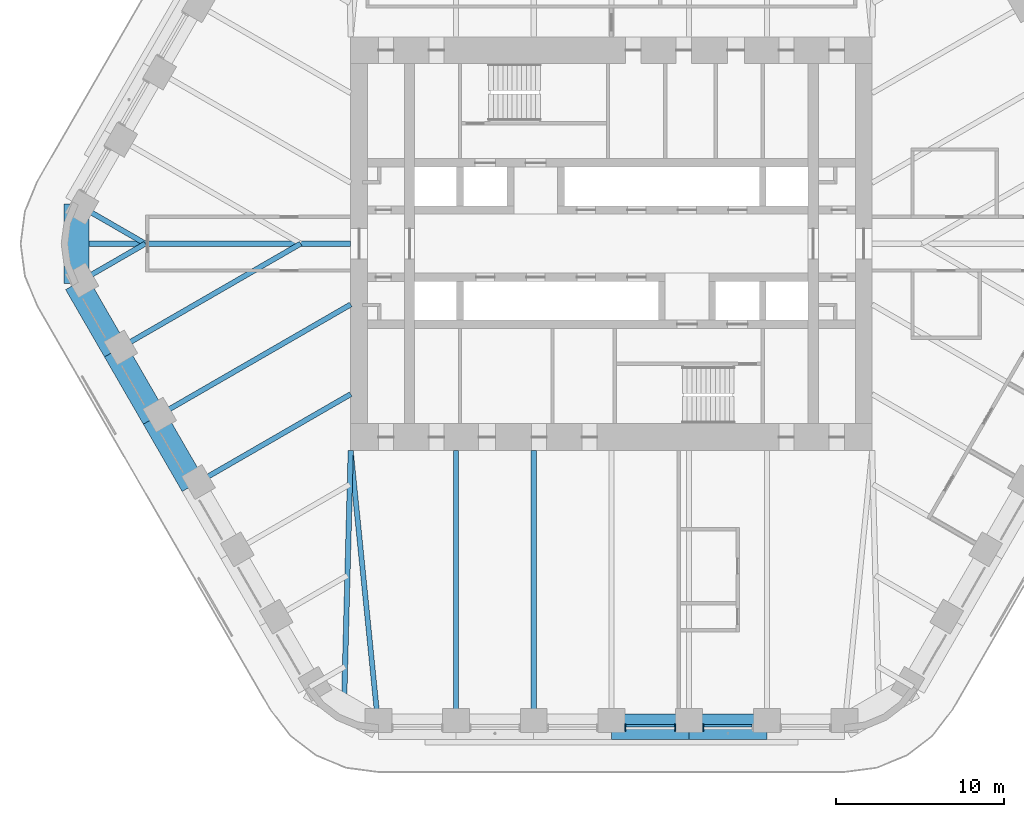
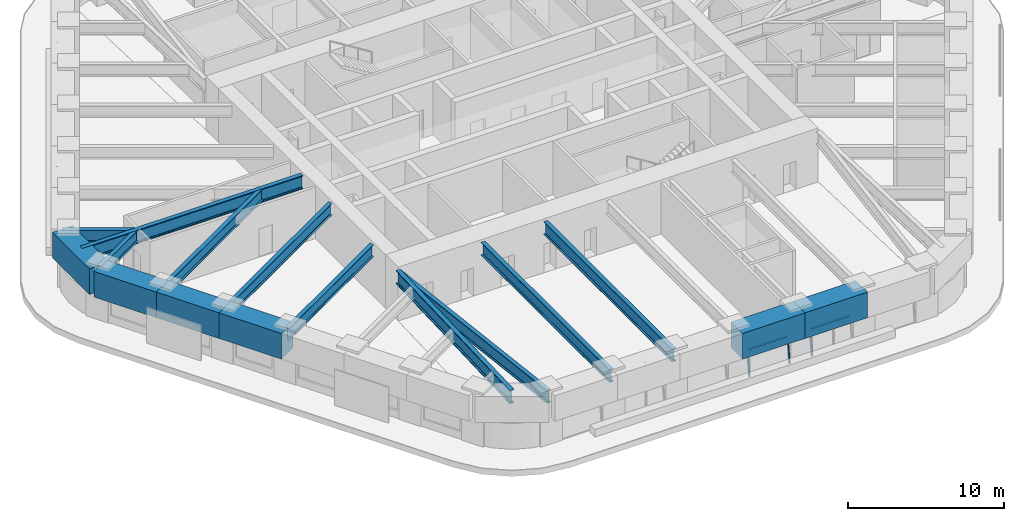
# One storey, part 3 of 20: 16 beams, 5 members, 2 elements without a shape of their own.
"""IFC4 building model written with IfcOpenShell, lengths in metres."""

import ifcopenshell
import ifcopenshell.guid

model = None  # the IFC model being written
_history = None  # IfcOwnerHistory: only IFC2X3 demands one
_inside = {}  # id of a spatial element -> (the spatial element, [elements in it])
_under = {}  # id of a project, library or spatial element -> (it, [spatial elements below it])
_declared = {}  # id of a project -> (the project, [libraries it declares])
_typed = {}  # id of a type object -> (the type object, [elements of that type])
_made_of = {}  # id of a material, layer set ... -> (it, [elements and type objects made of it])


def new_model(schema):
    """Start an empty IFC model of exactly this schema.

    Asked for "IFC4X3", IfcOpenShell would pick the latest addendum, in which some entities
    have other attributes; the version numbers below select the first issue.
    IFC2X3 requires an IfcOwnerHistory on every rooted entity: one is made here for all.
    """
    global model, _history
    if schema == "IFC4X3":
        model = ifcopenshell.file(schema_version=(4, 3, 0, 0))
    else:
        model = ifcopenshell.file(schema=schema)
    _inside.clear()
    _under.clear()
    _declared.clear()
    _typed.clear()
    _made_of.clear()
    _history = None
    if model.schema == "IFC2X3":
        org = make("IfcOrganization", Name="unknown")
        user = make(
            "IfcPersonAndOrganization",
            ThePerson=make("IfcPerson", FamilyName="unknown"),
            TheOrganization=org,
        )
        app = make(
            "IfcApplication",
            ApplicationDeveloper=org,
            Version="unknown",
            ApplicationFullName="unknown",
            ApplicationIdentifier="unknown",
        )
        _history = make(
            "IfcOwnerHistory",
            OwningUser=user,
            OwningApplication=app,
            ChangeAction="ADDED",
            CreationDate=0,
        )
    return model


def make(cls, **values):
    """One entity of the class cls with the attributes given. An attribute that is None is left unset."""
    return model.create_entity(
        cls, **{name: value for name, value in values.items() if value is not None}
    )


def rooted(cls, **values):
    """An entity with a GlobalId (a new one), such as an element, a storey or a relation."""
    return make(cls, GlobalId=ifcopenshell.guid.new(), OwnerHistory=_history, **values)


def si_unit(unit_type, name, prefix=None):
    """IfcSIUnit, for example si_unit("LENGTHUNIT", "METRE", prefix="MILLI")."""
    return make("IfcSIUnit", UnitType=unit_type, Prefix=prefix, Name=name)


def assignment(units):
    """IfcUnitAssignment: the units of a project."""
    return None if units is None else make("IfcUnitAssignment", Units=units)


def point(xyz):
    """IfcCartesianPoint."""
    return None if xyz is None else make("IfcCartesianPoint", Coordinates=xyz)


def direction(xyz):
    """IfcDirection."""
    return None if xyz is None else make("IfcDirection", DirectionRatios=xyz)


def frame(location, z_axis=None, x_axis=None):
    """IfcAxis2Placement3D, a coordinate frame: its origin and axes. An axis left out is left unset."""
    return make(
        "IfcAxis2Placement3D",
        Location=point(location),
        Axis=direction(z_axis),
        RefDirection=direction(x_axis),
    )


def frame_2d(location, x_axis=None):
    """IfcAxis2Placement2D, a coordinate frame in the plane: its origin and x axis."""
    return make(
        "IfcAxis2Placement2D", Location=point(location), RefDirection=direction(x_axis)
    )


def origin():
    """The frame at (0, 0, 0) with its axes left unset."""
    return frame((0.0, 0.0, 0.0))


def origin_2d():
    """The frame at (0, 0) in the plane with its x axis left unset."""
    return frame_2d((0.0, 0.0))


def place(relative_to, where):
    """IfcLocalPlacement: puts the frame where relative to a parent placement (None: the world)."""
    return make(
        "IfcLocalPlacement", PlacementRelTo=relative_to, RelativePlacement=where
    )


def context(
    kind, dimensions, precision=None, world=None, true_north=None, identifier=None
):
    """IfcGeometricRepresentationContext, for example the 3D "Model" context."""
    return make(
        "IfcGeometricRepresentationContext",
        ContextIdentifier=identifier,
        ContextType=kind,
        CoordinateSpaceDimension=dimensions,
        Precision=precision,
        WorldCoordinateSystem=world,
        TrueNorth=true_north,
    )


def subcontext(parent, identifier, kind, view, scale=None):
    """IfcGeometricRepresentationSubContext, for example "Body" below "Model"."""
    return make(
        "IfcGeometricRepresentationSubContext",
        ContextIdentifier=identifier,
        ContextType=kind,
        ParentContext=parent,
        TargetScale=scale,
        TargetView=view,
    )


def project(units=None, contexts=None):
    """IfcProject with its units and contexts."""
    return rooted(
        "IfcProject",
        Name="project",
        RepresentationContexts=contexts,
        UnitsInContext=assignment(units),
    )


def spatial(cls, under=None, at=None, **own):
    """A site, building, storey or space (cls), placed at a placement, below another one or the project."""
    s = rooted(cls, ObjectPlacement=at, **own)
    if under is not None:
        _under.setdefault(under.id(), (under, []))[1].append(s)
    return s


def profile(cls, at=None, kind="AREA", **sizes):
    """A parametric profile (cls). Its sizes go by their IFC names, for example OverallWidth=200.0."""
    return make(cls, ProfileType=kind, Position=at, **sizes)


def rectangle(**sizes):
    """IfcRectangleProfileDef."""
    return profile("IfcRectangleProfileDef", **sizes)


def i_section(**sizes):
    """IfcIShapeProfileDef."""
    return profile("IfcIShapeProfileDef", **sizes)


def extrude(swept, where, along, depth):
    """IfcExtrudedAreaSolid: the profile swept, set in the frame where, extruded along a direction by depth."""
    return make(
        "IfcExtrudedAreaSolid",
        SweptArea=swept,
        Position=where,
        ExtrudedDirection=direction(along),
        Depth=depth,
    )


def shape(context_of_items, identifier, shape_type, items):
    """IfcShapeRepresentation: the items that make up one representation, for example the "Body"."""
    return make(
        "IfcShapeRepresentation",
        ContextOfItems=context_of_items,
        RepresentationIdentifier=identifier,
        RepresentationType=shape_type,
        Items=items,
    )


def material(Name=None, Category=None):
    """IfcMaterial."""
    return make("IfcMaterial", Name=Name, Category=Category)


def material_profile(
    of_material, cross_section, Name=None, Category=None, Priority=None
):
    """IfcMaterialProfile: a cross section and its material."""
    return make(
        "IfcMaterialProfile",
        Name=Name,
        Material=of_material,
        Profile=cross_section,
        Priority=Priority,
        Category=Category,
    )


def profile_set(profiles, Name=None, composite=None):
    """IfcMaterialProfileSet."""
    return make(
        "IfcMaterialProfileSet",
        Name=Name,
        MaterialProfiles=profiles,
        CompositeProfile=composite,
    )


def made_of(thing, what):
    """Note that an element or type object is made of a material, layer set ...; save() writes the relation."""
    if what is not None:
        _made_of.setdefault(what.id(), (what, []))[1].append(thing)
    return thing


def type_object(cls, material=None, **own):
    """A type object (cls), such as IfcWallType, which elements share."""
    return made_of(rooted(cls, **own), material)


def element(
    cls,
    number,
    at=None,
    inside=None,
    cuts=None,
    type_object=None,
    material=None,
    context=None,
    identifier="Body",
    shape_type=None,
    held_by="IfcProductDefinitionShape",
    body=None,
    shapes=None,
    **own,
):
    """One element of the class cls, such as IfcWall. Its Tag is "e" and its number.

    at: its placement. inside: the storey or other place that contains it. cuts: it is an
    opening in that element (IfcRelVoidsElement). A single representation is given by context,
    identifier, shape_type and body (its items); several are given by shapes. held_by: the class
    of the entity that holds the representations. save() writes the other relations.
    """
    e = rooted(cls, Tag="e%d" % number, ObjectPlacement=at, **own)
    if body is not None:
        shapes = [shape(context, identifier, shape_type, body)]
    if shapes is not None:
        e.Representation = make(held_by, Representations=shapes)
    if inside is not None:
        _inside.setdefault(inside.id(), (inside, []))[1].append(e)
    if cuts is not None:
        rooted(
            "IfcRelVoidsElement", RelatingBuildingElement=cuts, RelatedOpeningElement=e
        )
    if type_object is not None:
        _typed.setdefault(type_object.id(), (type_object, []))[1].append(e)
    return made_of(e, material)


def aggregate(whole, parts):
    """IfcRelAggregates: a whole, such as a stair, and the parts it consists of."""
    return rooted("IfcRelAggregates", RelatingObject=whole, RelatedObjects=parts)


def save(model, path):
    """Write the relations noted so far, then the file.

    IfcRelAggregates (storeys below a building ...), IfcRelContainedInSpatialStructure (elements
    in a storey), IfcRelDefinesByType, IfcRelAssociatesMaterial and IfcRelDeclares: one each for
    every whole, place, type object, material and project.
    """
    for whole, parts in _under.values():
        aggregate(whole, parts)
    for where, things in _inside.values():
        rooted(
            "IfcRelContainedInSpatialStructure",
            RelatedElements=things,
            RelatingStructure=where,
        )
    for kind, things in _typed.values():
        rooted("IfcRelDefinesByType", RelatedObjects=things, RelatingType=kind)
    for what, things in _made_of.values():
        rooted("IfcRelAssociatesMaterial", RelatedObjects=things, RelatingMaterial=what)
    for by, libraries in _declared.values():
        rooted("IfcRelDeclares", RelatingContext=by, RelatedDefinitions=libraries)
    model.write(path)


model = new_model("IFC4")

# Units and contexts
model_context = context("Model", 3, precision=1e-05, world=origin(), true_north=direction((0.0, 1.0)))
body_context = subcontext(model_context, "Body", "Model", "MODEL_VIEW")
ifc_project = project(units=[si_unit("LENGTHUNIT", "METRE"), si_unit("AREAUNIT", "SQUARE_METRE"), si_unit("VOLUMEUNIT", "CUBIC_METRE"), si_unit("PLANEANGLEUNIT", "RADIAN"), si_unit("MASSUNIT", "GRAM", prefix="KILO")], contexts=[model_context])

# Site, building, storey
site_placement = place(None, origin())
site = spatial("IfcSite", under=ifc_project, at=site_placement, CompositionType="ELEMENT")
building_placement = place(site_placement, origin())
building = spatial("IfcBuilding", under=site, at=building_placement, Name="Tarfa Lantern Tower", CompositionType="ELEMENT")
storey_placement = place(building_placement, frame((0.0, 0.0, 219.699951171875)))
storey = spatial("IfcBuildingStorey", under=building, at=storey_placement, Name="L49", CompositionType="ELEMENT", Elevation=219.699951171875)

# Curtain wall, members
ifc_material_1 = material(Name="Aluminium framed curtain wall", Category="aluminium")
curtain_wall_type = type_object("IfcCurtainWallType", Name="CW3 CANTED GLAZING HIGH ZONE 2000", PredefinedType="USERDEFINED", material=ifc_material_1)
curtain_wall_1_placement = place(storey_placement, origin())
curtain_wall_1 = element("IfcCurtainWall", 1, at=curtain_wall_1_placement, inside=storey, type_object=curtain_wall_type, Name="CW3 S L49", ObjectType="CURTAIN WALL", PredefinedType="USERDEFINED")
ifc_material_2 = material(Name="Aluminium mullion", Category="aluminium")
ifc_material_profile_1 = material_profile(ifc_material_2, rectangle(XDim=0.06494140625, YDim=0.199951171875, at=origin_2d()), Name="AL MULLION 65x200")
ifc_profile_set_1 = profile_set([ifc_material_profile_1], Name="Aluminium mullion")
member_type_1 = type_object("IfcMemberType", Name="CWM1 MULLION 65x200", PredefinedType="MULLION", material=ifc_profile_set_1)
member_1_placement = place(storey_placement, frame((0.83251953125, -28.89990234375, 0.0), z_axis=(0.0, 0.124034734589, 0.992277876714), x_axis=(-1.0, 0.0, 0.0)))
member_1 = element("IfcMember", 2, at=member_1_placement, type_object=member_type_1, Name="CW3 mullion 1", PredefinedType="MULLION", context=body_context, shape_type="SweptSolid", body=[
    extrude(rectangle(XDim=0.06494140625, YDim=0.199951171875, at=origin_2d()), origin(), (0.0, 0.0, 1.0), 2.015625),
])
member_2_placement = place(storey_placement, frame((3.786376953125, -28.89990234375, 0.0), z_axis=(0.0, 0.124034734589, 0.992277876714), x_axis=(-1.0, 0.0, 0.0)))
member_2 = element("IfcMember", 3, at=member_2_placement, type_object=member_type_1, Name="CW3 mullion 2", PredefinedType="MULLION", context=body_context, shape_type="SweptSolid", body=[
    extrude(rectangle(XDim=0.06494140625, YDim=0.199951171875, at=origin_2d()), origin(), (0.0, 0.0, 1.0), 2.015625),
])

# Curtain wall, member
curtain_wall_2_placement = place(storey_placement, origin())
curtain_wall_2 = element("IfcCurtainWall", 4, at=curtain_wall_2_placement, inside=storey, type_object=curtain_wall_type, Name="CW3 S L49", ObjectType="CURTAIN WALL", PredefinedType="USERDEFINED")
member_3_placement = place(storey_placement, frame((5.451416015625, -28.89990234375, 0.0), z_axis=(0.0, 0.124034734589, 0.992277876714), x_axis=(-1.0, 0.0, 0.0)))
member_3 = element("IfcMember", 5, at=member_3_placement, type_object=member_type_1, Name="CW3 mullion 1", PredefinedType="MULLION", context=body_context, shape_type="SweptSolid", body=[
    extrude(rectangle(XDim=0.06494140625, YDim=0.199951171875, at=origin_2d()), origin(), (0.0, 0.0, 1.0), 2.015625),
])

# Member
ifc_material_3 = material(Name="Aluminium transom", Category="aluminium")
ifc_material_profile_2 = material_profile(ifc_material_3, rectangle(XDim=0.14990234375, YDim=0.06494140625, at=origin_2d()), Name="AL TRANSOM 150x65")
ifc_profile_set_2 = profile_set([ifc_material_profile_2], Name="Aluminium transom")
member_type_2 = type_object("IfcMemberType", Name="CWT1 TRANSOM 150x65", PredefinedType="USERDEFINED", material=ifc_profile_set_2)
member_4_placement = place(storey_placement, frame((0.864990234375, -28.654052734375, 1.967529296875), z_axis=(1.0, 0.0, 0.0), x_axis=(0.0, 1.0, 0.0)))
member_4 = element("IfcMember", 6, at=member_4_placement, type_object=member_type_2, Name="CW3 transom 1.2", ObjectType="TRANSOM", PredefinedType="USERDEFINED", context=body_context, shape_type="SweptSolid", body=[
    extrude(rectangle(XDim=0.14990234375, YDim=0.06494140625, at=origin_2d()), origin(), (0.0, 0.0, 1.0), 2.888916015625),
])

aggregate(curtain_wall_1, [member_1, member_2, member_4])

member_5_placement = place(storey_placement, frame((5.48388671875, -28.654052734375, 1.967529296875), z_axis=(1.0, 0.0, 0.0), x_axis=(0.0, 1.0, 0.0)))
member_5 = element("IfcMember", 7, at=member_5_placement, type_object=member_type_2, Name="CW3 transom 1.2", ObjectType="TRANSOM", PredefinedType="USERDEFINED", context=body_context, shape_type="SweptSolid", body=[
    extrude(rectangle(XDim=0.14990234375, YDim=0.06494140625, at=origin_2d()), origin(), (0.0, 0.0, 1.0), 2.888671875),
])

aggregate(curtain_wall_2, [member_3, member_5])

# Beams
ifc_material_4 = material(Name="Concrete C80/95", Category="concrete")
ifc_material_profile_3 = material_profile(ifc_material_4, rectangle(XDim=1.5, YDim=2.0, at=origin_2d()), Name="RC 1500x2000")
ifc_profile_set_3 = profile_set([ifc_material_profile_3], Name="Concrete C80/95")
beam_type_1 = type_object("IfcBeamType", Name="RB3 RC 1500x2000", PredefinedType="BEAM", material=ifc_profile_set_3)
beam_1_placement = place(storey_placement, frame((-31.800537109375, 2.360107421875, 3.0), z_axis=(0.0, -1.0, 0.0), x_axis=(1.0, 0.0, 0.0)))
element("IfcBeam", 8, at=beam_1_placement, inside=storey, type_object=beam_type_1, Name="Edge beam NW6", PredefinedType="BEAM", context=body_context, shape_type="SweptSolid", body=[
    extrude(rectangle(XDim=1.5, YDim=2.0, at=origin_2d()), origin(), (0.0, 0.0, 1.0), 4.72021484375),
])
beam_2_placement = place(storey_placement, frame((-31.800537109375, -2.360107421875, 3.0), z_axis=(0.500027479704, -0.866009537788, 0.0), x_axis=(0.866009537788, 0.500027479704, 0.0)))
element("IfcBeam", 9, at=beam_2_placement, inside=storey, type_object=beam_type_1, Name="Edge beam SW0", PredefinedType="BEAM", context=body_context, shape_type="SweptSolid", body=[
    extrude(rectangle(XDim=1.5, YDim=2.0, at=origin_2d()), origin(), (0.0, 0.0, 1.0), 4.618896484375),
])
for number, where, z_axis, x_axis, name in (
    (10, (-29.490966796875, -6.360107421875, 3.0), (0.499987836815, -0.866032426089, 0.0), (0.866032426089, 0.499987836815, 0.0), "Edge beam SW1"),
    (11, (-27.181640625, -10.360107421875, 3.0), (0.499987836815, -0.866032426089, 0.0), (0.866032426089, 0.499987836815, 0.0), "Edge beam SW2"),
):
    element("IfcBeam", number, at=place(storey_placement, frame(where, z_axis=z_axis, x_axis=x_axis)), inside=storey, type_object=beam_type_1, Name=name, PredefinedType="BEAM", context=body_context, shape_type="SweptSolid", body=[
        extrude(rectangle(XDim=1.5, YDim=2.0, at=origin_2d()), origin(), (0.0, 0.0, 1.0), 4.61865234375),
    ])
beam_3_placement = place(storey_placement, frame((0.0, -28.719970703125, 3.0), z_axis=(1.0, 0.0, 0.0), x_axis=(0.0, 1.0, 0.0)))
element("IfcBeam", 12, at=beam_3_placement, inside=storey, type_object=beam_type_1, Name="Edge beam S3", PredefinedType="BEAM", context=body_context, shape_type="SweptSolid", body=[
    extrude(rectangle(XDim=1.5, YDim=2.0, at=origin_2d()), origin(), (0.0, 0.0, 1.0), 4.618896484375),
])
beam_4_placement = place(storey_placement, frame((4.618896484375, -28.719970703125, 3.0), z_axis=(1.0, 0.0, 0.0), x_axis=(0.0, 1.0, 0.0)))
element("IfcBeam", 13, at=beam_4_placement, inside=storey, type_object=beam_type_1, Name="Edge beam S4", PredefinedType="BEAM", context=body_context, shape_type="SweptSolid", body=[
    extrude(rectangle(XDim=1.5, YDim=2.0, at=origin_2d()), origin(), (0.0, 0.0, 1.0), 4.61865234375),
])
ifc_material_5 = material(Name="Steel S460M", Category="steel")
ifc_material_profile_4 = material_profile(ifc_material_5, i_section(OverallWidth=0.302001953125, OverallDepth=1.008056640625, WebThickness=0.02099609375, FlangeThickness=0.0400390625, FilletRadius=0.030029296875, at=origin_2d()), Name="UB1016x305x349")
ifc_profile_set_4 = profile_set([ifc_material_profile_4], Name="Steel S460M")
beam_type_2 = type_object("IfcBeamType", Name="UB1016x305x349", PredefinedType="BEAM", material=ifc_profile_set_4)
beam_5_placement = place(storey_placement, frame((-13.8564453125, -28.719970703125, 3.49609375), z_axis=(-0.099597466746, 0.995027810977, 0.0), x_axis=(-0.995027810977, -0.099597466746, 0.0)))
element("IfcBeam", 14, at=beam_5_placement, inside=storey, type_object=beam_type_2, Name="Floor beam S0", PredefinedType="BEAM", context=body_context, shape_type="SweptSolid", body=[
    extrude(i_section(OverallWidth=0.302001953125, OverallDepth=1.008056640625, WebThickness=0.02099609375, FlangeThickness=0.0400390625, FilletRadius=0.030029296875, at=origin_2d()), origin(), (0.0, 0.0, 1.0), 16.501953125),
])
for number, where, z_axis, x_axis, name in (
    (15, (-9.237548828125, -28.719970703125, 3.49609375), (0.0, 1.0, 0.0), (-1.0, 0.0, 0.0), "Floor beam S1"),
    (16, (-4.618896484375, -28.719970703125, 3.49609375), (0.0, 1.0, 0.0), (-1.0, 0.0, 0.0), "Floor beam S2"),
):
    element("IfcBeam", number, at=place(storey_placement, frame(where, z_axis=z_axis, x_axis=x_axis)), inside=storey, type_object=beam_type_2, Name=name, PredefinedType="BEAM", context=body_context, shape_type="SweptSolid", body=[
        extrude(i_section(OverallWidth=0.302001953125, OverallDepth=1.008056640625, WebThickness=0.02099609375, FlangeThickness=0.0400390625, FilletRadius=0.030029296875, at=origin_2d()), origin(), (0.0, 0.0, 1.0), 16.419921875),
    ])
ifc_material_profile_5 = material_profile(ifc_material_5, i_section(OverallWidth=0.314208984375, OverallDepth=1.055908203125, WebThickness=0.035888671875, FlangeThickness=0.06396484375, FilletRadius=0.030029296875, at=origin_2d()), Name="UB1016x305x584")
ifc_profile_set_5 = profile_set([ifc_material_profile_5], Name="Steel S460M")
beam_type_3 = type_object("IfcBeamType", Name="UB1016x305x584", PredefinedType="BEAM", material=ifc_profile_set_5)
beam_6_placement = place(storey_placement, frame((-15.5, 0.0, 3.47216796875), z_axis=(-1.0, 0.0, 0.0), x_axis=(0.0, -1.0, 0.0)))
element("IfcBeam", 17, at=beam_6_placement, inside=storey, type_object=beam_type_3, Name="Hip girder W", PredefinedType="BEAM", context=body_context, shape_type="SweptSolid", body=[
    extrude(i_section(OverallWidth=0.314208984375, OverallDepth=1.055908203125, WebThickness=0.035888671875, FlangeThickness=0.06396484375, FilletRadius=0.030029296875, at=origin_2d()), origin(), (0.0, 0.0, 1.0), 16.300537109375),
])
beam_7_placement = place(storey_placement, frame((-15.5, -12.300048828125, 3.47216796875), z_axis=(-0.026247301989, -0.999655480222, 0.0), x_axis=(0.999655480222, -0.026247301989, 0.0)))
element("IfcBeam", 18, at=beam_7_placement, inside=storey, type_object=beam_type_3, Name="Hip girder SW", PredefinedType="BEAM", context=body_context, shape_type="SweptSolid", body=[
    extrude(i_section(OverallWidth=0.314208984375, OverallDepth=1.055908203125, WebThickness=0.035888671875, FlangeThickness=0.06396484375, FilletRadius=0.030029296875, at=origin_2d()), origin(), (0.0, 0.0, 1.0), 15.245361328125),
])
ifc_material_profile_6 = material_profile(ifc_material_5, i_section(OverallWidth=0.305419921875, OverallDepth=0.91845703125, WebThickness=0.017333984375, FlangeThickness=0.02783203125, FilletRadius=0.01904296875, at=origin_2d()), Name="UB914x305x253")
ifc_profile_set_6 = profile_set([ifc_material_profile_6], Name="Steel S460M")
beam_type_4 = type_object("IfcBeamType", Name="UB914x305x253", PredefinedType="BEAM", material=ifc_profile_set_6)
for number, where, z_axis, x_axis, name in (
    (19, (-31.800537109375, 2.360107421875, 3.540771484375), (0.866015897305, -0.500016465344, 0.0), (0.500016465344, 0.866015897305, 0.0), "Floor beam NW6"),
    (20, (-31.800537109375, -2.360107421875, 3.540771484375), (0.866015897305, 0.500016465344, 0.0), (-0.500016465344, 0.866015897305, 0.0), "Floor beam SW0"),
):
    element("IfcBeam", number, at=place(storey_placement, frame(where, z_axis=z_axis, x_axis=x_axis)), inside=storey, type_object=beam_type_4, Name=name, PredefinedType="BEAM", context=body_context, shape_type="SweptSolid", body=[
        extrude(i_section(OverallWidth=0.305419921875, OverallDepth=0.91845703125, WebThickness=0.017333984375, FlangeThickness=0.02783203125, FilletRadius=0.01904296875, at=origin_2d()), origin(), (0.0, 0.0, 1.0), 4.719970703125),
    ])
beam_8_placement = place(storey_placement, frame((-29.490966796875, -6.360107421875, 3.540771484375), z_axis=(0.866022258038, 0.500005448553, 0.0), x_axis=(-0.500005448553, 0.866022258038, 0.0)))
element("IfcBeam", 21, at=beam_8_placement, inside=storey, type_object=beam_type_4, Name="Floor beam SW1", PredefinedType="BEAM", context=body_context, shape_type="SweptSolid", body=[
    extrude(i_section(OverallWidth=0.305419921875, OverallDepth=0.91845703125, WebThickness=0.017333984375, FlangeThickness=0.02783203125, FilletRadius=0.01904296875, at=origin_2d()), origin(), (0.0, 0.0, 1.0), 12.719970703125),
])
beam_9_placement = place(storey_placement, frame((-27.181640625, -10.360107421875, 3.540771484375), z_axis=(0.866018002818, 0.500012818631, 0.0), x_axis=(-0.500012818631, 0.866018002818, 0.0)))
element("IfcBeam", 22, at=beam_9_placement, inside=storey, type_object=beam_type_4, Name="Floor beam SW2", PredefinedType="BEAM", context=body_context, shape_type="SweptSolid", body=[
    extrude(i_section(OverallWidth=0.305419921875, OverallDepth=0.91845703125, WebThickness=0.017333984375, FlangeThickness=0.02783203125, FilletRadius=0.01904296875, at=origin_2d()), origin(), (0.0, 0.0, 1.0), 13.489013671875),
])
beam_10_placement = place(storey_placement, frame((-24.872314453125, -14.360107421875, 3.540771484375), z_axis=(0.8660244219, 0.500001700669, 0.0), x_axis=(-0.500001700669, 0.8660244219, 0.0)))
element("IfcBeam", 23, at=beam_10_placement, inside=storey, type_object=beam_type_4, Name="Floor beam SW3", PredefinedType="BEAM", context=body_context, shape_type="SweptSolid", body=[
    extrude(i_section(OverallWidth=0.305419921875, OverallDepth=0.91845703125, WebThickness=0.017333984375, FlangeThickness=0.02783203125, FilletRadius=0.01904296875, at=origin_2d()), origin(), (0.0, 0.0, 1.0), 10.822265625),
])

save(model, "model.ifc")
